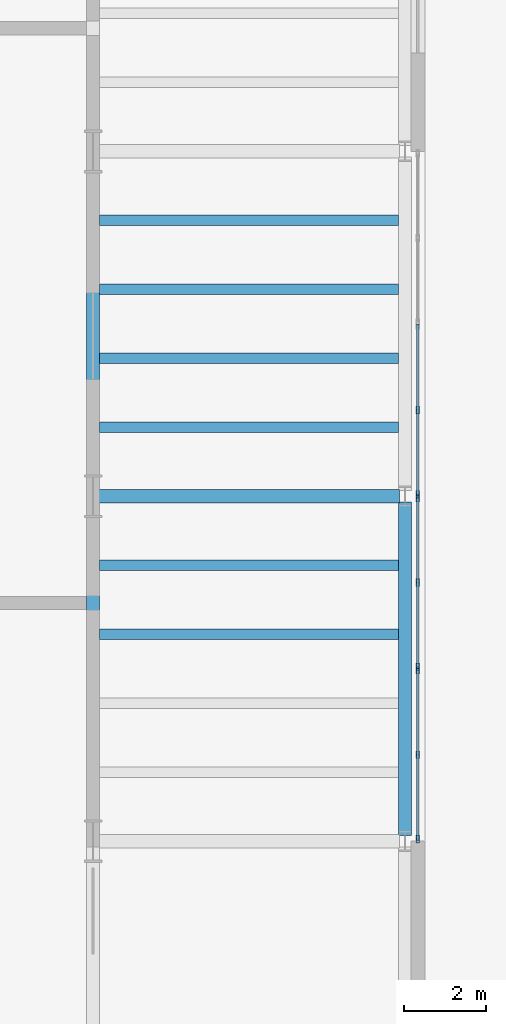
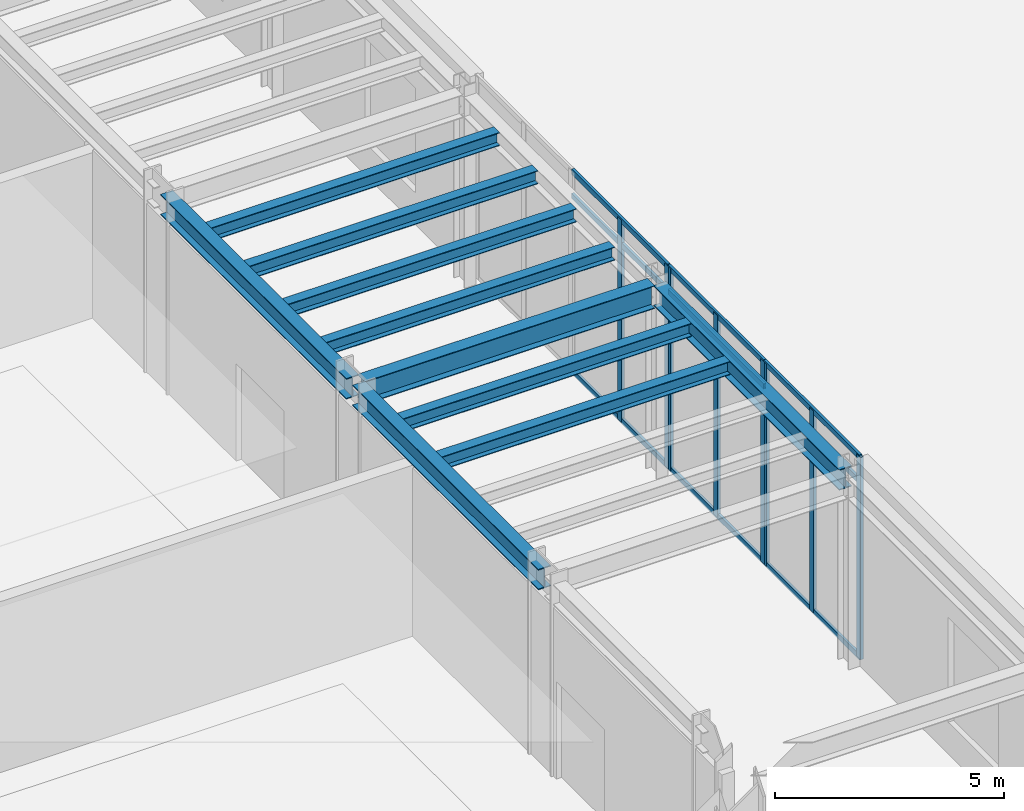
# One storey, part 21 of 94: 17 members, 10 beams, 3 elements without a shape of their own.
"""IFC4 building model written with IfcOpenShell, lengths in metres."""

from ifc_helpers import new_model, si_unit, direction, frame, origin, origin_2d, place, context, subcontext, project, spatial, hollow_rectangle, i_section, extrude, material, layer, layer_set, material_profile, profile_set, type_object, element, aggregate, save


model = new_model("IFC4")

# Units and contexts
model_context = context("Model", 3, precision=1e-05, world=origin(), true_north=direction((0.0, 1.0)))
body_context = subcontext(model_context, "Body", "Model", "MODEL_VIEW")
ifc_project = project(units=[si_unit("LENGTHUNIT", "METRE"), si_unit("AREAUNIT", "SQUARE_METRE"), si_unit("VOLUMEUNIT", "CUBIC_METRE"), si_unit("PLANEANGLEUNIT", "RADIAN"), si_unit("MASSUNIT", "GRAM", prefix="KILO")], contexts=[model_context])

# Site, building, storey
site_placement = place(None, origin())
site = spatial("IfcSite", under=ifc_project, at=site_placement, CompositionType="ELEMENT")
building_placement = place(site_placement, origin())
building = spatial("IfcBuilding", under=site, at=building_placement, Name="Sollismere Congress Hotel", CompositionType="ELEMENT")
storey_placement = place(building_placement, origin())
storey = spatial("IfcBuildingStorey", under=building, at=storey_placement, Name="L00", CompositionType="ELEMENT", Elevation=0.0)

# Beams
ifc_material_1 = material(Name="Steel ASTM A992 Grade 50", Category="steel")
ifc_material_profile_1 = material_profile(ifc_material_1, i_section(OverallWidth=0.31494140625, OverallDepth=0.551025390625, WebThickness=0.01513671875, FlangeThickness=0.0244140625, at=origin_2d()), Name="W21X122")
ifc_profile_set_1 = profile_set([ifc_material_profile_1], Name="Steel ASTM A992 Grade 50")
beam_type_1 = type_object("IfcBeamType", Name="BM-G21H", PredefinedType="BEAM", material=ifc_profile_set_1)
beam_1_placement = place(storey_placement, frame((50.39990234375, 33.340087890625, 4.839599609375), z_axis=(0.0, 1.0, 0.0), x_axis=(-1.0, 0.0, 0.0)))
element("IfcBeam", 1, at=beam_1_placement, inside=storey, type_object=beam_type_1, Name="Beam BM-L00-1240", PredefinedType="BEAM", context=body_context, shape_type="SweptSolid", body=[
    extrude(i_section(OverallWidth=0.31494140625, OverallDepth=0.551025390625, WebThickness=0.01513671875, FlangeThickness=0.0244140625, at=origin_2d()), origin(), (0.0, 0.0, 1.0), 8.119873046875),
])
beam_2_placement = place(storey_placement, frame((50.39990234375, 41.739990234375, 4.839599609375), z_axis=(0.0, 1.0, 0.0), x_axis=(-1.0, 0.0, 0.0)))
element("IfcBeam", 2, at=beam_2_placement, inside=storey, type_object=beam_type_1, Name="Beam BM-L00-1241", PredefinedType="BEAM", context=body_context, shape_type="SweptSolid", body=[
    extrude(i_section(OverallWidth=0.31494140625, OverallDepth=0.551025390625, WebThickness=0.01513671875, FlangeThickness=0.0244140625, at=origin_2d()), origin(), (0.0, 0.0, 1.0), 8.1201171875),
])
beam_3_placement = place(storey_placement, frame((58.0, 33.340087890625, 4.839599609375), z_axis=(0.0, 1.0, 0.0), x_axis=(-1.0, 0.0, 0.0)))
element("IfcBeam", 3, at=beam_3_placement, inside=storey, type_object=beam_type_1, Name="Beam BM-L00-1247", PredefinedType="BEAM", context=body_context, shape_type="SweptSolid", body=[
    extrude(i_section(OverallWidth=0.31494140625, OverallDepth=0.551025390625, WebThickness=0.01513671875, FlangeThickness=0.0244140625, at=origin_2d()), origin(), (0.0, 0.0, 1.0), 8.119873046875),
])
ifc_material_profile_2 = material_profile(ifc_material_1, i_section(OverallWidth=0.324951171875, OverallDepth=0.612060546875, WebThickness=0.0126953125, FlangeThickness=0.01904296875, at=origin_2d()), Name="W24X104")
ifc_profile_set_2 = profile_set([ifc_material_profile_2], Name="Steel ASTM A992 Grade 50")
beam_type_2 = type_object("IfcBeamType", Name="BM-G24", PredefinedType="BEAM", material=ifc_profile_set_2)
beam_4_placement = place(storey_placement, frame((50.5400390625, 41.60009765625, 4.80908203125), z_axis=(1.0, 0.0, 0.0), x_axis=(0.0, 1.0, 0.0)))
element("IfcBeam", 4, at=beam_4_placement, inside=storey, type_object=beam_type_2, Name="Beam BM-L00-1175", PredefinedType="BEAM", context=body_context, shape_type="SweptSolid", body=[
    extrude(i_section(OverallWidth=0.324951171875, OverallDepth=0.612060546875, WebThickness=0.0126953125, FlangeThickness=0.01904296875, at=origin_2d()), origin(), (0.0, 0.0, 1.0), 7.320068359375),
])
ifc_material_profile_3 = material_profile(ifc_material_1, i_section(OverallWidth=0.25390625, OverallDepth=0.35595703125, WebThickness=0.010498046875, FlangeThickness=0.018310546875, at=origin_2d()), Name="W14X68")
ifc_profile_set_3 = profile_set([ifc_material_profile_3], Name="Steel ASTM A992 Grade 50")
beam_type_3 = type_object("IfcBeamType", Name="BM-J14", PredefinedType="JOIST", material=ifc_profile_set_3)
for number, where, z_axis, x_axis, name in (
    (5, (50.5576171875, 38.239990234375, 4.93701171875), (1.0, 0.0, 0.0), (0.0, 1.0, 0.0), "Beam BM-L00-1347"),
    (6, (50.5576171875, 39.919921875, 4.93701171875), (1.0, 0.0, 0.0), (0.0, 1.0, 0.0), "Beam BM-L00-1348"),
    (7, (50.5576171875, 43.280029296875, 4.93701171875), (1.0, 0.0, 0.0), (0.0, 1.0, 0.0), "Beam BM-L00-1349"),
    (8, (50.5576171875, 44.9599609375, 4.93701171875), (1.0, 0.0, 0.0), (0.0, 1.0, 0.0), "Beam BM-L00-1350"),
    (9, (50.5576171875, 46.639892578125, 4.93701171875), (1.0, 0.0, 0.0), (0.0, 1.0, 0.0), "Beam BM-L00-1351"),
    (10, (50.5576171875, 48.320068359375, 4.93701171875), (1.0, 0.0, 0.0), (0.0, 1.0, 0.0), "Beam BM-L00-1352"),
):
    element("IfcBeam", number, at=place(storey_placement, frame(where, z_axis=z_axis, x_axis=x_axis)), inside=storey, type_object=beam_type_3, Name=name, PredefinedType="JOIST", context=body_context, shape_type="SweptSolid", body=[
        extrude(i_section(OverallWidth=0.25390625, OverallDepth=0.35595703125, WebThickness=0.010498046875, FlangeThickness=0.018310546875, at=origin_2d()), origin(), (0.0, 0.0, 1.0), 7.284912109375),
    ])

# Curtain wall, members
ifc_material_2 = material(Name="Anodized Bronze Curtain Wall & Low-E Triple Glazing", Category="glass")
ifc_layer = layer(ifc_material_2, 0.199951171875, Name="Anodized Bronze Curtain Wall & Low-E Triple Glazing")
ifc_layer_set = layer_set([ifc_layer], Name="Anodized Bronze Curtain Wall & Low-E Triple Glazing")
curtain_wall_type = type_object("IfcCurtainWallType", Name="CW-GLZ36", PredefinedType="USERDEFINED", material=ifc_layer_set)
curtain_wall_1_placement = place(storey_placement, origin())
curtain_wall_1 = element("IfcCurtainWall", 11, at=curtain_wall_1_placement, inside=storey, type_object=curtain_wall_type, Name="Unitised curtain wall CW-L00-123", ObjectType="UNITISED CURTAIN WALL", PredefinedType="USERDEFINED")
ifc_material_3 = material(Name="Anodized Aluminum 6063-T6", Category="aluminium")
ifc_material_profile_4 = material_profile(ifc_material_3, hollow_rectangle(XDim=0.074951171875, YDim=0.179931640625, WallThickness=0.0048828125, at=origin_2d()), Name="ALU180X75X5")
ifc_profile_set_4 = profile_set([ifc_material_profile_4], Name="Anodized Aluminum 6063-T6")
member_type_1 = type_object("IfcMemberType", Name="ML-CW180", PredefinedType="MULLION", material=ifc_profile_set_4)
member_1_placement = place(storey_placement, frame((58.31005859375, 33.248046875, 0.0), z_axis=(0.0, 0.0, 1.0), x_axis=(-1.0, 0.0, 0.0)))
member_1 = element("IfcMember", 12, at=member_1_placement, type_object=member_type_1, Name="CWL-CW-L00-123-ML01", PredefinedType="MULLION", context=body_context, shape_type="SweptSolid", body=[
    extrude(hollow_rectangle(XDim=0.074951171875, YDim=0.179931640625, WallThickness=0.0048828125, at=origin_2d()), origin(), (0.0, 0.0, 1.0), 5.39990234375),
])
member_2_placement = place(storey_placement, frame((58.31005859375, 35.304931640625, 0.0), z_axis=(0.0, 0.0, 1.0), x_axis=(-1.0, 0.0, 0.0)))
member_2 = element("IfcMember", 13, at=member_2_placement, type_object=member_type_1, Name="CWL-CW-L00-123-ML02", PredefinedType="MULLION", context=body_context, shape_type="SweptSolid", body=[
    extrude(hollow_rectangle(XDim=0.074951171875, YDim=0.179931640625, WallThickness=0.0048828125, at=origin_2d()), origin(), (0.0, 0.0, 1.0), 5.39990234375),
])
member_3_placement = place(storey_placement, frame((58.31005859375, 37.362060546875, 0.0), z_axis=(0.0, 0.0, 1.0), x_axis=(-1.0, 0.0, 0.0)))
member_3 = element("IfcMember", 14, at=member_3_placement, type_object=member_type_1, Name="CWL-CW-L00-123-ML03", PredefinedType="MULLION", context=body_context, shape_type="SweptSolid", body=[
    extrude(hollow_rectangle(XDim=0.074951171875, YDim=0.179931640625, WallThickness=0.0048828125, at=origin_2d()), origin(), (0.0, 0.0, 1.0), 5.39990234375),
])

curtain_wall_2_placement = place(storey_placement, origin())
curtain_wall_2 = element("IfcCurtainWall", 15, at=curtain_wall_2_placement, inside=storey, type_object=curtain_wall_type, Name="Unitised curtain wall CW-L00-124", ObjectType="UNITISED CURTAIN WALL", PredefinedType="USERDEFINED")
member_4_placement = place(storey_placement, frame((58.31005859375, 37.43798828125, 0.0), z_axis=(0.0, 0.0, 1.0), x_axis=(-1.0, 0.0, 0.0)))
member_4 = element("IfcMember", 16, at=member_4_placement, type_object=member_type_1, Name="CWL-CW-L00-124-ML01", PredefinedType="MULLION", context=body_context, shape_type="SweptSolid", body=[
    extrude(hollow_rectangle(XDim=0.074951171875, YDim=0.179931640625, WallThickness=0.0048828125, at=origin_2d()), origin(), (0.0, 0.0, 1.0), 5.39990234375),
])
member_5_placement = place(storey_placement, frame((58.31005859375, 39.4951171875, 0.0), z_axis=(0.0, 0.0, 1.0), x_axis=(-1.0, 0.0, 0.0)))
member_5 = element("IfcMember", 17, at=member_5_placement, type_object=member_type_1, Name="CWL-CW-L00-124-ML02", PredefinedType="MULLION", context=body_context, shape_type="SweptSolid", body=[
    extrude(hollow_rectangle(XDim=0.074951171875, YDim=0.179931640625, WallThickness=0.0048828125, at=origin_2d()), origin(), (0.0, 0.0, 1.0), 5.39990234375),
])
member_6_placement = place(storey_placement, frame((58.31005859375, 41.552001953125, 0.0), z_axis=(0.0, 0.0, 1.0), x_axis=(-1.0, 0.0, 0.0)))
member_6 = element("IfcMember", 18, at=member_6_placement, type_object=member_type_1, Name="CWL-CW-L00-124-ML03", PredefinedType="MULLION", context=body_context, shape_type="SweptSolid", body=[
    extrude(hollow_rectangle(XDim=0.074951171875, YDim=0.179931640625, WallThickness=0.0048828125, at=origin_2d()), origin(), (0.0, 0.0, 1.0), 5.39990234375),
])

curtain_wall_3_placement = place(storey_placement, origin())
curtain_wall_3 = element("IfcCurtainWall", 19, at=curtain_wall_3_placement, inside=storey, type_object=curtain_wall_type, Name="Unitised curtain wall CW-L00-125", ObjectType="UNITISED CURTAIN WALL", PredefinedType="USERDEFINED")
member_7_placement = place(storey_placement, frame((58.31005859375, 41.64794921875, 0.0), z_axis=(0.0, 0.0, 1.0), x_axis=(-1.0, 0.0, 0.0)))
member_7 = element("IfcMember", 20, at=member_7_placement, type_object=member_type_1, Name="CWL-CW-L00-125-ML01", PredefinedType="MULLION", context=body_context, shape_type="SweptSolid", body=[
    extrude(hollow_rectangle(XDim=0.074951171875, YDim=0.179931640625, WallThickness=0.0048828125, at=origin_2d()), origin(), (0.0, 0.0, 1.0), 5.39990234375),
])
member_8_placement = place(storey_placement, frame((58.31005859375, 43.705078125, 0.0), z_axis=(0.0, 0.0, 1.0), x_axis=(-1.0, 0.0, 0.0)))
member_8 = element("IfcMember", 21, at=member_8_placement, type_object=member_type_1, Name="CWL-CW-L00-125-ML02", PredefinedType="MULLION", context=body_context, shape_type="SweptSolid", body=[
    extrude(hollow_rectangle(XDim=0.074951171875, YDim=0.179931640625, WallThickness=0.0048828125, at=origin_2d()), origin(), (0.0, 0.0, 1.0), 5.39990234375),
])

# Member
ifc_material_profile_5 = material_profile(ifc_material_3, hollow_rectangle(XDim=0.06494140625, YDim=0.139892578125, WallThickness=0.00390625, at=origin_2d()), Name="ALU140X65X4")
ifc_profile_set_5 = profile_set([ifc_material_profile_5], Name="Anodized Aluminum 6063-T6")
member_type_2 = type_object("IfcMemberType", Name="TR-CW150", PredefinedType="MEMBER", material=ifc_profile_set_5)
member_9_placement = place(storey_placement, frame((58.31005859375, 33.2099609375, 0.032470703125), z_axis=(0.0, 1.0, 0.0), x_axis=(-1.0, 0.0, 0.0)))
member_9 = element("IfcMember", 22, at=member_9_placement, type_object=member_type_2, Name="CWL-CW-L00-123-TR1", PredefinedType="MEMBER", context=body_context, shape_type="SweptSolid", body=[
    extrude(hollow_rectangle(XDim=0.06494140625, YDim=0.139892578125, WallThickness=0.00390625, at=origin_2d()), origin(), (0.0, 0.0, 1.0), 4.18994140625),
])

member_10_placement = place(storey_placement, frame((58.31005859375, 33.2099609375, 4.719970703125), z_axis=(0.0, 1.0, 0.0), x_axis=(-1.0, 0.0, 0.0)))
member_10 = element("IfcMember", 23, at=member_10_placement, type_object=member_type_2, Name="CWL-CW-L00-123-TR2", PredefinedType="MEMBER", context=body_context, shape_type="SweptSolid", body=[
    extrude(hollow_rectangle(XDim=0.06494140625, YDim=0.139892578125, WallThickness=0.00390625, at=origin_2d()), origin(), (0.0, 0.0, 1.0), 4.18994140625),
])

member_11_placement = place(storey_placement, frame((58.31005859375, 33.2099609375, 5.367431640625), z_axis=(0.0, 1.0, 0.0), x_axis=(-1.0, 0.0, 0.0)))
member_11 = element("IfcMember", 24, at=member_11_placement, type_object=member_type_2, Name="CWL-CW-L00-123-TR3", PredefinedType="MEMBER", context=body_context, shape_type="SweptSolid", body=[
    extrude(hollow_rectangle(XDim=0.06494140625, YDim=0.139892578125, WallThickness=0.00390625, at=origin_2d()), origin(), (0.0, 0.0, 1.0), 4.18994140625),
])

aggregate(curtain_wall_1, [member_1, member_2, member_3, member_9, member_10, member_11])

member_12_placement = place(storey_placement, frame((58.31005859375, 37.39990234375, 0.032470703125), z_axis=(0.0, 1.0, 0.0), x_axis=(-1.0, 0.0, 0.0)))
member_12 = element("IfcMember", 25, at=member_12_placement, type_object=member_type_2, Name="CWL-CW-L00-124-TR1", PredefinedType="MEMBER", context=body_context, shape_type="SweptSolid", body=[
    extrude(hollow_rectangle(XDim=0.06494140625, YDim=0.139892578125, WallThickness=0.00390625, at=origin_2d()), origin(), (0.0, 0.0, 1.0), 4.190185546875),
])

member_13_placement = place(storey_placement, frame((58.31005859375, 37.39990234375, 4.719970703125), z_axis=(0.0, 1.0, 0.0), x_axis=(-1.0, 0.0, 0.0)))
member_13 = element("IfcMember", 26, at=member_13_placement, type_object=member_type_2, Name="CWL-CW-L00-124-TR2", PredefinedType="MEMBER", context=body_context, shape_type="SweptSolid", body=[
    extrude(hollow_rectangle(XDim=0.06494140625, YDim=0.139892578125, WallThickness=0.00390625, at=origin_2d()), origin(), (0.0, 0.0, 1.0), 4.190185546875),
])

member_14_placement = place(storey_placement, frame((58.31005859375, 37.39990234375, 5.367431640625), z_axis=(0.0, 1.0, 0.0), x_axis=(-1.0, 0.0, 0.0)))
member_14 = element("IfcMember", 27, at=member_14_placement, type_object=member_type_2, Name="CWL-CW-L00-124-TR3", PredefinedType="MEMBER", context=body_context, shape_type="SweptSolid", body=[
    extrude(hollow_rectangle(XDim=0.06494140625, YDim=0.139892578125, WallThickness=0.00390625, at=origin_2d()), origin(), (0.0, 0.0, 1.0), 4.190185546875),
])

aggregate(curtain_wall_2, [member_4, member_5, member_6, member_12, member_13, member_14])

member_15_placement = place(storey_placement, frame((58.31005859375, 41.610107421875, 0.032470703125), z_axis=(0.0, 1.0, 0.0), x_axis=(-1.0, 0.0, 0.0)))
member_15 = element("IfcMember", 28, at=member_15_placement, type_object=member_type_2, Name="CWL-CW-L00-125-TR1", PredefinedType="MEMBER", context=body_context, shape_type="SweptSolid", body=[
    extrude(hollow_rectangle(XDim=0.06494140625, YDim=0.139892578125, WallThickness=0.00390625, at=origin_2d()), origin(), (0.0, 0.0, 1.0), 4.18994140625),
])

member_16_placement = place(storey_placement, frame((58.31005859375, 41.610107421875, 4.719970703125), z_axis=(0.0, 1.0, 0.0), x_axis=(-1.0, 0.0, 0.0)))
member_16 = element("IfcMember", 29, at=member_16_placement, type_object=member_type_2, Name="CWL-CW-L00-125-TR2", PredefinedType="MEMBER", context=body_context, shape_type="SweptSolid", body=[
    extrude(hollow_rectangle(XDim=0.06494140625, YDim=0.139892578125, WallThickness=0.00390625, at=origin_2d()), origin(), (0.0, 0.0, 1.0), 4.18994140625),
])

member_17_placement = place(storey_placement, frame((58.31005859375, 41.610107421875, 5.367431640625), z_axis=(0.0, 1.0, 0.0), x_axis=(-1.0, 0.0, 0.0)))
member_17 = element("IfcMember", 30, at=member_17_placement, type_object=member_type_2, Name="CWL-CW-L00-125-TR3", PredefinedType="MEMBER", context=body_context, shape_type="SweptSolid", body=[
    extrude(hollow_rectangle(XDim=0.06494140625, YDim=0.139892578125, WallThickness=0.00390625, at=origin_2d()), origin(), (0.0, 0.0, 1.0), 4.18994140625),
])

aggregate(curtain_wall_3, [member_7, member_8, member_15, member_16, member_17])

save(model, "model.ifc")
